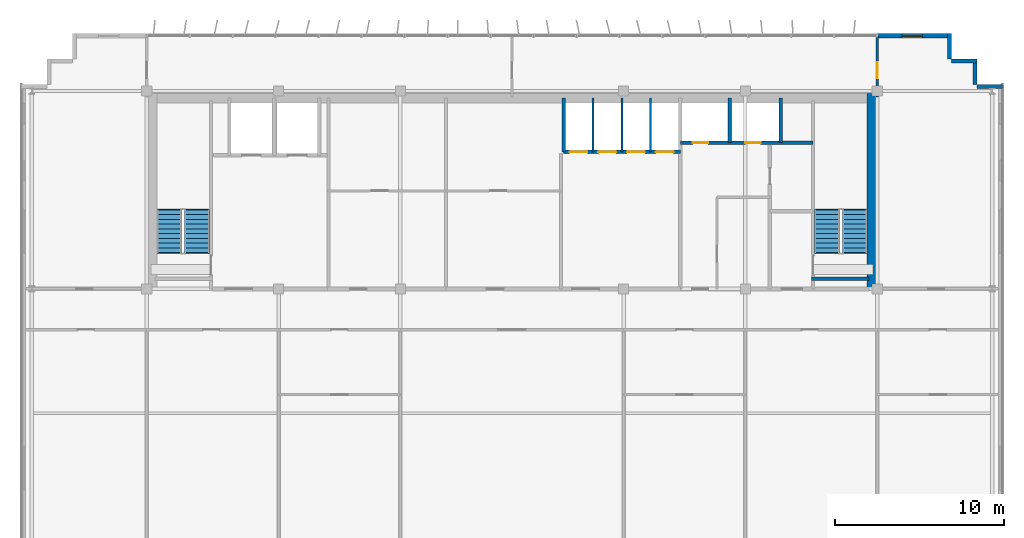
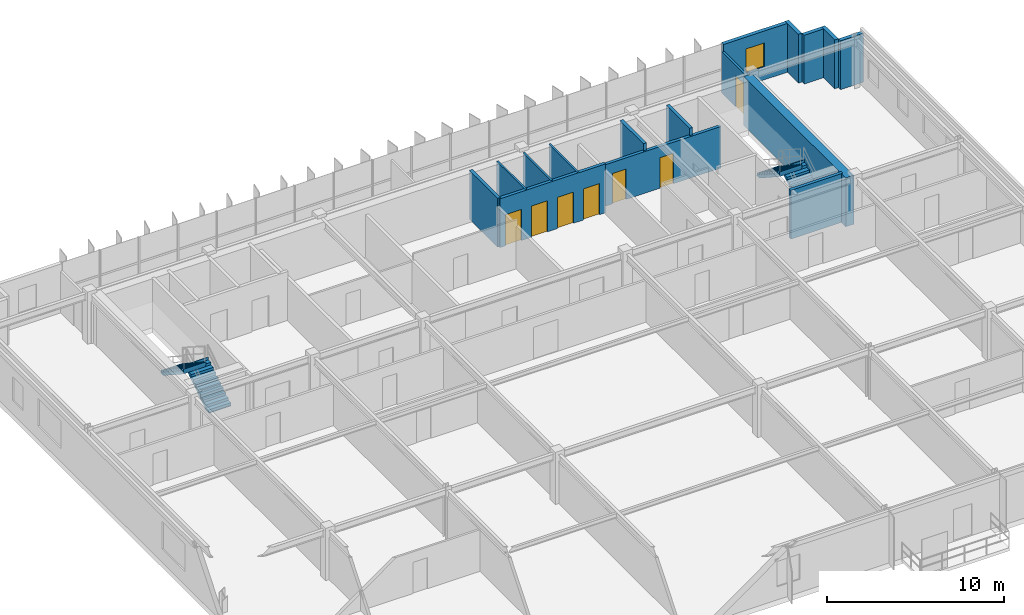
# One storey, part 19 of 21: 16 walls, 7 doors, 4 stair flights, 1 window, 8 openings, 2 elements without a shape of their own.
"""IFC4 building model written with IfcOpenShell, lengths in metres."""

import ifcopenshell
import ifcopenshell.guid

model = None  # the IFC model being written
_history = None  # IfcOwnerHistory: only IFC2X3 demands one
_inside = {}  # id of a spatial element -> (the spatial element, [elements in it])
_under = {}  # id of a project, library or spatial element -> (it, [spatial elements below it])
_declared = {}  # id of a project -> (the project, [libraries it declares])
_typed = {}  # id of a type object -> (the type object, [elements of that type])
_made_of = {}  # id of a material, layer set ... -> (it, [elements and type objects made of it])


def new_model(schema):
    """Start an empty IFC model of exactly this schema.

    Asked for "IFC4X3", IfcOpenShell would pick the latest addendum, in which some entities
    have other attributes; the version numbers below select the first issue.
    IFC2X3 requires an IfcOwnerHistory on every rooted entity: one is made here for all.
    """
    global model, _history
    if schema == "IFC4X3":
        model = ifcopenshell.file(schema_version=(4, 3, 0, 0))
    else:
        model = ifcopenshell.file(schema=schema)
    _inside.clear()
    _under.clear()
    _declared.clear()
    _typed.clear()
    _made_of.clear()
    _history = None
    if model.schema == "IFC2X3":
        org = make("IfcOrganization", Name="unknown")
        user = make(
            "IfcPersonAndOrganization",
            ThePerson=make("IfcPerson", FamilyName="unknown"),
            TheOrganization=org,
        )
        app = make(
            "IfcApplication",
            ApplicationDeveloper=org,
            Version="unknown",
            ApplicationFullName="unknown",
            ApplicationIdentifier="unknown",
        )
        _history = make(
            "IfcOwnerHistory",
            OwningUser=user,
            OwningApplication=app,
            ChangeAction="ADDED",
            CreationDate=0,
        )
    return model


def make(cls, **values):
    """One entity of the class cls with the attributes given. An attribute that is None is left unset."""
    return model.create_entity(
        cls, **{name: value for name, value in values.items() if value is not None}
    )


def rooted(cls, **values):
    """An entity with a GlobalId (a new one), such as an element, a storey or a relation."""
    return make(cls, GlobalId=ifcopenshell.guid.new(), OwnerHistory=_history, **values)


def si_unit(unit_type, name, prefix=None):
    """IfcSIUnit, for example si_unit("LENGTHUNIT", "METRE", prefix="MILLI")."""
    return make("IfcSIUnit", UnitType=unit_type, Prefix=prefix, Name=name)


def assignment(units):
    """IfcUnitAssignment: the units of a project."""
    return None if units is None else make("IfcUnitAssignment", Units=units)


def point(xyz):
    """IfcCartesianPoint."""
    return None if xyz is None else make("IfcCartesianPoint", Coordinates=xyz)


def direction(xyz):
    """IfcDirection."""
    return None if xyz is None else make("IfcDirection", DirectionRatios=xyz)


def frame(location, z_axis=None, x_axis=None):
    """IfcAxis2Placement3D, a coordinate frame: its origin and axes. An axis left out is left unset."""
    return make(
        "IfcAxis2Placement3D",
        Location=point(location),
        Axis=direction(z_axis),
        RefDirection=direction(x_axis),
    )


def frame_2d(location, x_axis=None):
    """IfcAxis2Placement2D, a coordinate frame in the plane: its origin and x axis."""
    return make(
        "IfcAxis2Placement2D", Location=point(location), RefDirection=direction(x_axis)
    )


def origin():
    """The frame at (0, 0, 0) with its axes left unset."""
    return frame((0.0, 0.0, 0.0))


def place(relative_to, where):
    """IfcLocalPlacement: puts the frame where relative to a parent placement (None: the world)."""
    return make(
        "IfcLocalPlacement", PlacementRelTo=relative_to, RelativePlacement=where
    )


def context(
    kind, dimensions, precision=None, world=None, true_north=None, identifier=None
):
    """IfcGeometricRepresentationContext, for example the 3D "Model" context."""
    return make(
        "IfcGeometricRepresentationContext",
        ContextIdentifier=identifier,
        ContextType=kind,
        CoordinateSpaceDimension=dimensions,
        Precision=precision,
        WorldCoordinateSystem=world,
        TrueNorth=true_north,
    )


def subcontext(parent, identifier, kind, view, scale=None):
    """IfcGeometricRepresentationSubContext, for example "Body" below "Model"."""
    return make(
        "IfcGeometricRepresentationSubContext",
        ContextIdentifier=identifier,
        ContextType=kind,
        ParentContext=parent,
        TargetScale=scale,
        TargetView=view,
    )


def project(units=None, contexts=None):
    """IfcProject with its units and contexts."""
    return rooted(
        "IfcProject",
        Name="project",
        RepresentationContexts=contexts,
        UnitsInContext=assignment(units),
    )


def spatial(cls, under=None, at=None, **own):
    """A site, building, storey or space (cls), placed at a placement, below another one or the project."""
    s = rooted(cls, ObjectPlacement=at, **own)
    if under is not None:
        _under.setdefault(under.id(), (under, []))[1].append(s)
    return s


def polyline(points):
    """IfcPolyline through the points."""
    return make("IfcPolyline", Points=[point(p) for p in points])


def profile(cls, at=None, kind="AREA", **sizes):
    """A parametric profile (cls). Its sizes go by their IFC names, for example OverallWidth=200.0."""
    return make(cls, ProfileType=kind, Position=at, **sizes)


def rectangle(**sizes):
    """IfcRectangleProfileDef."""
    return profile("IfcRectangleProfileDef", **sizes)


def outline(outer, holes=None, kind="AREA"):
    """IfcArbitraryClosedProfileDef: a profile drawn as a closed curve; with holes, ...WithVoids."""
    if holes is None:
        return make("IfcArbitraryClosedProfileDef", ProfileType=kind, OuterCurve=outer)
    return make(
        "IfcArbitraryProfileDefWithVoids",
        ProfileType=kind,
        OuterCurve=outer,
        InnerCurves=holes,
    )


def extrude(swept, where, along, depth):
    """IfcExtrudedAreaSolid: the profile swept, set in the frame where, extruded along a direction by depth."""
    return make(
        "IfcExtrudedAreaSolid",
        SweptArea=swept,
        Position=where,
        ExtrudedDirection=direction(along),
        Depth=depth,
    )


def shape(context_of_items, identifier, shape_type, items):
    """IfcShapeRepresentation: the items that make up one representation, for example the "Body"."""
    return make(
        "IfcShapeRepresentation",
        ContextOfItems=context_of_items,
        RepresentationIdentifier=identifier,
        RepresentationType=shape_type,
        Items=items,
    )


def source(mapping_origin, context_of_items, identifier, shape_type, items):
    """IfcRepresentationMap: a shape defined once, which mapped items show again and again."""
    return make(
        "IfcRepresentationMap",
        MappingOrigin=mapping_origin,
        MappedRepresentation=shape(context_of_items, identifier, shape_type, items),
    )


def transform(
    local_origin,
    x_axis=None,
    y_axis=None,
    z_axis=None,
    scale=None,
    scale2=None,
    scale3=None,
    uniform=True,
):
    """IfcCartesianTransformationOperator3D, or its non-uniform kind. x_axis, y_axis, z_axis: its Axis1, 2, 3."""
    if uniform:
        return make(
            "IfcCartesianTransformationOperator3D",
            Axis1=direction(x_axis),
            Axis2=direction(y_axis),
            LocalOrigin=point(local_origin),
            Scale=scale,
            Axis3=direction(z_axis),
        )
    return make(
        "IfcCartesianTransformationOperator3DnonUniform",
        Axis1=direction(x_axis),
        Axis2=direction(y_axis),
        LocalOrigin=point(local_origin),
        Scale=scale,
        Axis3=direction(z_axis),
        Scale2=scale2,
        Scale3=scale3,
    )


def mapped(mapping_source, mapping_target):
    """IfcMappedItem: shows the shape of a source again, moved by a transform."""
    return make(
        "IfcMappedItem", MappingSource=mapping_source, MappingTarget=mapping_target
    )


def material(Name=None, Category=None):
    """IfcMaterial."""
    return make("IfcMaterial", Name=Name, Category=Category)


def layer(
    of_material, thickness, ventilated=None, Name=None, Category=None, Priority=None
):
    """IfcMaterialLayer: one layer of a wall or slab, of a material (None: an air gap)."""
    return make(
        "IfcMaterialLayer",
        Material=of_material,
        LayerThickness=thickness,
        IsVentilated=ventilated,
        Name=Name,
        Category=Category,
        Priority=Priority,
    )


def layer_set(layers, Name=None):
    """IfcMaterialLayerSet."""
    return make("IfcMaterialLayerSet", MaterialLayers=layers, LayerSetName=Name)


def made_of(thing, what):
    """Note that an element or type object is made of a material, layer set ...; save() writes the relation."""
    if what is not None:
        _made_of.setdefault(what.id(), (what, []))[1].append(thing)
    return thing


def type_object(cls, material=None, **own):
    """A type object (cls), such as IfcWallType, which elements share."""
    return made_of(rooted(cls, **own), material)


def element(
    cls,
    number,
    at=None,
    inside=None,
    cuts=None,
    type_object=None,
    material=None,
    context=None,
    identifier="Body",
    shape_type=None,
    held_by="IfcProductDefinitionShape",
    body=None,
    shapes=None,
    **own,
):
    """One element of the class cls, such as IfcWall. Its Tag is "e" and its number.

    at: its placement. inside: the storey or other place that contains it. cuts: it is an
    opening in that element (IfcRelVoidsElement). A single representation is given by context,
    identifier, shape_type and body (its items); several are given by shapes. held_by: the class
    of the entity that holds the representations. save() writes the other relations.
    """
    e = rooted(cls, Tag="e%d" % number, ObjectPlacement=at, **own)
    if body is not None:
        shapes = [shape(context, identifier, shape_type, body)]
    if shapes is not None:
        e.Representation = make(held_by, Representations=shapes)
    if inside is not None:
        _inside.setdefault(inside.id(), (inside, []))[1].append(e)
    if cuts is not None:
        rooted(
            "IfcRelVoidsElement", RelatingBuildingElement=cuts, RelatedOpeningElement=e
        )
    if type_object is not None:
        _typed.setdefault(type_object.id(), (type_object, []))[1].append(e)
    return made_of(e, material)


def fill(opening, filler):
    """IfcRelFillsElement: the door or window that sits in an opening."""
    return rooted(
        "IfcRelFillsElement",
        RelatingOpeningElement=opening,
        RelatedBuildingElement=filler,
    )


def aggregate(whole, parts):
    """IfcRelAggregates: a whole, such as a stair, and the parts it consists of."""
    return rooted("IfcRelAggregates", RelatingObject=whole, RelatedObjects=parts)


def save(model, path):
    """Write the relations noted so far, then the file.

    IfcRelAggregates (storeys below a building ...), IfcRelContainedInSpatialStructure (elements
    in a storey), IfcRelDefinesByType, IfcRelAssociatesMaterial and IfcRelDeclares: one each for
    every whole, place, type object, material and project.
    """
    for whole, parts in _under.values():
        aggregate(whole, parts)
    for where, things in _inside.values():
        rooted(
            "IfcRelContainedInSpatialStructure",
            RelatedElements=things,
            RelatingStructure=where,
        )
    for kind, things in _typed.values():
        rooted("IfcRelDefinesByType", RelatedObjects=things, RelatingType=kind)
    for what, things in _made_of.values():
        rooted("IfcRelAssociatesMaterial", RelatedObjects=things, RelatingMaterial=what)
    for by, libraries in _declared.values():
        rooted("IfcRelDeclares", RelatingContext=by, RelatedDefinitions=libraries)
    model.write(path)


model = new_model("IFC4")

# Units and contexts
model_context = context("Model", 3, precision=1e-05, world=origin(), true_north=direction((0.0, 1.0)))
body_context = subcontext(model_context, "Body", "Model", "MODEL_VIEW")
ifc_project = project(units=[si_unit("LENGTHUNIT", "METRE"), si_unit("AREAUNIT", "SQUARE_METRE"), si_unit("VOLUMEUNIT", "CUBIC_METRE"), si_unit("PLANEANGLEUNIT", "RADIAN"), si_unit("MASSUNIT", "GRAM", prefix="KILO")], contexts=[model_context])

# Site, building, storey
site_placement = place(None, origin())
site = spatial("IfcSite", under=ifc_project, at=site_placement, CompositionType="ELEMENT")
building_placement = place(site_placement, origin())
building = spatial("IfcBuilding", under=site, at=building_placement, Name="Trelvane Seafront Commons", CompositionType="ELEMENT")
storey_placement = place(building_placement, frame((0.0, 0.0, 248.699951171875)))
storey = spatial("IfcBuildingStorey", under=building, at=storey_placement, Name="L64", CompositionType="ELEMENT", Elevation=248.699951171875)

# Wall, opening, window
ifc_material_1 = material(Name="Precast concrete C40/50", Category="concrete")
ifc_layer_1 = layer(ifc_material_1, 0.239990234375, Name="ARCH-WALL-EXT240")
ifc_layer_set_1 = layer_set([ifc_layer_1], Name="Precast concrete C40/50")
wall_type_1 = type_object("IfcWallType", Name="ARCH-WALL-EXT240", PredefinedType="SOLIDWALL", material=ifc_layer_set_1)
wall_1_placement = place(storey_placement, frame((58.800048828125, 48.3701171875, 0.0), z_axis=(0.0, 0.0, 1.0), x_axis=(1.0, 0.0, 0.0)))
wall_1 = element("IfcWall", 1, at=wall_1_placement, inside=storey, type_object=wall_type_1, Name="EW-L64-NE-1278", PredefinedType="SOLIDWALL", context=body_context, shape_type="SweptSolid", body=[
    extrude(rectangle(XDim=4.300048828125, YDim=0.239990234375, at=frame_2d((2.14990234375, 0.0))), origin(), (0.0, 0.0, 1.0), 3.3701171875),
])
opening_1_placement = place(wall_1_placement, frame((1.4599609375, 0.0, 0.89990234375)))
opening_1 = element("IfcOpeningElement", 2, at=opening_1_placement, cuts=wall_1, Name="Opening W05", PredefinedType="OPENING", context=body_context, shape_type="SweptSolid", body=[
    extrude(rectangle(XDim=1.199951171875, YDim=1.64990234375, at=frame_2d((0.60009765625, 0.824951171875))), frame((0.0, 0.1298828125, 0.0), z_axis=(0.0, -1.0, 0.0), x_axis=(1.0, 0.0, 0.0)), (0.0, 0.0, 1.0), 0.260009765625),
])
ifc_material_2 = material(Name="Low-E coastal double glazing", Category="glass")
window_type = type_object("IfcWindowType", Name="ARCH-WIN-W05", PartitioningType="SINGLE_PANEL", PredefinedType="WINDOW", material=ifc_material_2)
shared_shape_1 = source(origin(), body_context, "Body", "SweptSolid", [
    extrude(rectangle(XDim=1.199951171875, YDim=1.64990234375, at=frame_2d((0.60009765625, 0.824951171875))), frame((0.0, 0.030029296875, 0.0), z_axis=(0.0, -1.0, 0.0), x_axis=(1.0, 0.0, 0.0)), (0.0, 0.0, 1.0), 0.06005859375),
])
window_placement = place(opening_1_placement, origin())
window = element("IfcWindow", 3, at=window_placement, inside=storey, type_object=window_type, Name="WIN-L64-01535", OverallHeight=1.64990234375, OverallWidth=1.199951171875, PartitioningType="SINGLE_PANEL", PredefinedType="WINDOW", context=body_context, shape_type="MappedRepresentation", body=[
    mapped(shared_shape_1, transform((0.0, 0.0, 0.0), x_axis=(1.0, 0.0, 0.0), y_axis=(0.0, 1.0, 0.0), z_axis=(0.0, 0.0, 1.0), scale=1.0)),
])
fill(opening_1, window)

# Walls
for number, where, z_axis, x_axis, name in (
    (4, (63.080078125, 48.5, 0.0), (0.0, 0.0, 1.0), (0.0, -1.0, 0.0), "EW-L64-01287"),
    (5, (63.199951171875, 46.8798828125, 0.0), (0.0, 0.0, 1.0), (1.0, 0.0, 0.0), "EW-L64-01288"),
    (6, (64.580078125, 47.0, 0.0), (0.0, 0.0, 1.0), (0.0, -1.0, 0.0), "EW-L64-01289"),
    (7, (64.699951171875, 45.3798828125, 0.0), (0.0, 0.0, 1.0), (1.0, 0.0, 0.0), "EW-L64-01290"),
):
    element("IfcWall", number, at=place(storey_placement, frame(where, z_axis=z_axis, x_axis=x_axis)), inside=storey, type_object=wall_type_1, Name=name, PredefinedType="SOLIDWALL", context=body_context, shape_type="SweptSolid", body=[
        extrude(rectangle(XDim=1.5, YDim=0.239990234375, at=frame_2d((0.75, 0.0))), origin(), (0.0, 0.0, 1.0), 3.3701171875),
    ])
ifc_material_3 = material(Name="Gypsum Drywall Acoustic Partition")
ifc_layer_2 = layer(ifc_material_3, 0.1201171875, Name="ARCH-WALL-PART120")
ifc_layer_set_2 = layer_set([ifc_layer_2], Name="Gypsum Drywall Acoustic Partition")
wall_type_2 = type_object("IfcWallType", Name="ARCH-WALL-PART120", PredefinedType="PARTITIONING", material=ifc_layer_set_2)
for number, where, z_axis, x_axis, name in (
    (8, (42.0, 41.5, 0.0), (0.0, 0.0, 1.0), (0.0, 1.0, 0.0), "W-L64-PH-DIV1-020"),
    (9, (43.699951171875, 41.5, 0.0), (0.0, 0.0, 1.0), (0.0, 1.0, 0.0), "W-L64-PH-DIV2-021"),
    (10, (45.39990234375, 41.5, 0.0), (0.0, 0.0, 1.0), (0.0, 1.0, 0.0), "W-L64-PH-DIV3-022"),
):
    element("IfcWall", number, at=place(storey_placement, frame(where, z_axis=z_axis, x_axis=x_axis)), inside=storey, type_object=wall_type_2, Name=name, PredefinedType="PARTITIONING", context=body_context, shape_type="SweptSolid", body=[
        extrude(rectangle(XDim=3.199951171875, YDim=0.1201171875, at=frame_2d((1.60009765625, 0.0))), origin(), (0.0, 0.0, 1.0), 3.3701171875),
    ])

# Wall, opening, door
ifc_layer_3 = layer(ifc_material_3, 0.14990234375, Name="ARCH-WALL-PART150")
ifc_layer_set_3 = layer_set([ifc_layer_3], Name="Gypsum Drywall Acoustic Partition")
wall_type_3 = type_object("IfcWallType", Name="ARCH-WALL-PART150", PredefinedType="PARTITIONING", material=ifc_layer_set_3)
wall_2_placement = place(storey_placement, frame((58.800048828125, 44.75, 0.0), z_axis=(0.0, 0.0, 1.0), x_axis=(0.0, 1.0, 0.0)))
wall_2 = element("IfcWall", 11, at=wall_2_placement, inside=storey, type_object=wall_type_3, Name="W-L64-N-LINK-E-039", PredefinedType="PARTITIONING", context=body_context, shape_type="SweptSolid", body=[
    extrude(rectangle(XDim=3.610107421875, YDim=0.14990234375, at=frame_2d((1.80517578125, 0.0))), origin(), (0.0, 0.0, 1.0), 2.8701171875),
])
opening_2_placement = place(wall_2_placement, frame((1.10009765625, 0.0, 0.0)))
opening_2 = element("IfcOpeningElement", 12, at=opening_2_placement, cuts=wall_2, Name="Opening FD-L64-25", PredefinedType="OPENING", context=body_context, shape_type="SweptSolid", body=[
    extrude(rectangle(XDim=0.949951171875, YDim=2.14990234375, at=frame_2d((0.47509765625, 1.074951171875))), frame((0.0, 0.0849609375, 0.0), z_axis=(0.0, -1.0, 0.0), x_axis=(1.0, 0.0, 0.0)), (0.0, 0.0, 1.0), 0.169921875),
])
ifc_material_4 = material(Name="Powder-coated aluminium frame", Category="aluminium")
door_type_1 = type_object("IfcDoorType", Name="ARCH-DR-FD60-950", OperationType="NOTDEFINED", PredefinedType="DOOR", material=ifc_material_4)
shared_shape_2 = source(origin(), body_context, "Body", "SweptSolid", [
    extrude(rectangle(XDim=0.949951171875, YDim=2.14990234375, at=frame_2d((0.47509765625, 1.074951171875))), frame((0.0, 0.02490234375, 0.0), z_axis=(0.0, -1.0, 0.0), x_axis=(1.0, 0.0, 0.0)), (0.0, 0.0, 1.0), 0.050048828125),
])
door_1_placement = place(opening_2_placement, origin())
door_1 = element("IfcDoor", 13, at=door_1_placement, inside=storey, type_object=door_type_1, Name="L64 Door 25", OperationType="SINGLE_SWING_LEFT", OverallHeight=2.14990234375, OverallWidth=0.949951171875, PredefinedType="DOOR", context=body_context, shape_type="MappedRepresentation", body=[
    mapped(shared_shape_2, transform((0.0, 0.0, 0.0), x_axis=(1.0, 0.0, 0.0), y_axis=(0.0, 1.0, 0.0), z_axis=(0.0, 0.0, 1.0), scale=1.0)),
])
fill(opening_2, door_1)

# Wall, openings, doors
ifc_material_5 = material(Name="Concrete C40/50", Category="concrete")
ifc_layer_4 = layer(ifc_material_5, 0.199951171875, Name="ARCH-WALL-SHAFT200")
ifc_layer_set_4 = layer_set([ifc_layer_4], Name="Concrete C40/50")
wall_type_4 = type_object("IfcWallType", Name="ARCH-WALL-SHAFT200", PredefinedType="SOLIDWALL", material=ifc_layer_set_4)
wall_3_placement = place(storey_placement, frame((40.25, 41.5, 0.0), z_axis=(0.0, 0.0, 1.0), x_axis=(1.0, 0.0, 0.0)))
wall_3 = element("IfcWall", 14, at=wall_3_placement, inside=storey, type_object=wall_type_4, Name="W-L64-PH-FRONT-018", PredefinedType="SOLIDWALL", context=body_context, shape_type="SweptSolid", body=[
    extrude(rectangle(XDim=6.89990234375, YDim=0.199951171875, at=frame_2d((3.449951171875, 0.0))), origin(), (0.0, 0.0, 1.0), 3.3701171875),
])
opening_3_placement = place(wall_3_placement, frame((0.35009765625, 0.0, 0.0)))
opening_3 = element("IfcOpeningElement", 15, at=opening_3_placement, cuts=wall_3, Name="Opening LD-PH1-L64", PredefinedType="OPENING", context=body_context, shape_type="SweptSolid", body=[
    extrude(rectangle(XDim=1.050048828125, YDim=2.14990234375, at=frame_2d((0.52490234375, 1.074951171875))), frame((0.0, 0.10986328125, 0.0), z_axis=(0.0, -1.0, 0.0), x_axis=(1.0, 0.0, 0.0)), (0.0, 0.0, 1.0), 0.219970703125),
])
opening_4_placement = place(wall_3_placement, frame((2.050048828125, 0.0, 0.0)))
opening_4 = element("IfcOpeningElement", 16, at=opening_4_placement, cuts=wall_3, Name="Opening LD-PH2-L64", PredefinedType="OPENING", context=body_context, shape_type="SweptSolid", body=[
    extrude(rectangle(XDim=1.050048828125, YDim=2.14990234375, at=frame_2d((0.52490234375, 1.074951171875))), frame((0.0, 0.10986328125, 0.0), z_axis=(0.0, -1.0, 0.0), x_axis=(1.0, 0.0, 0.0)), (0.0, 0.0, 1.0), 0.219970703125),
])
opening_5_placement = place(wall_3_placement, frame((3.75, 0.0, 0.0)))
opening_5 = element("IfcOpeningElement", 17, at=opening_5_placement, cuts=wall_3, Name="Opening LD-PH3-L64", PredefinedType="OPENING", context=body_context, shape_type="SweptSolid", body=[
    extrude(rectangle(XDim=1.050048828125, YDim=2.14990234375, at=frame_2d((0.52490234375, 1.074951171875))), frame((0.0, 0.10986328125, 0.0), z_axis=(0.0, -1.0, 0.0), x_axis=(1.0, 0.0, 0.0)), (0.0, 0.0, 1.0), 0.219970703125),
])
opening_6_placement = place(wall_3_placement, frame((5.449951171875, 0.0, 0.0)))
opening_6 = element("IfcOpeningElement", 18, at=opening_6_placement, cuts=wall_3, Name="Opening LD-PH4-L64", PredefinedType="OPENING", context=body_context, shape_type="SweptSolid", body=[
    extrude(rectangle(XDim=1.050048828125, YDim=2.14990234375, at=frame_2d((0.52490234375, 1.074951171875))), frame((0.0, 0.10986328125, 0.0), z_axis=(0.0, -1.0, 0.0), x_axis=(1.0, 0.0, 0.0)), (0.0, 0.0, 1.0), 0.219970703125),
])
ifc_material_6 = material(Name="Stainless steel balustrade", Category="steel")
door_type_2 = type_object("IfcDoorType", Name="ARCH-DR-LD1050", OperationType="DOUBLE_DOOR_SLIDING", PredefinedType="DOOR", material=ifc_material_6)
shared_shape_3 = source(origin(), body_context, "Body", "SweptSolid", [
    extrude(rectangle(XDim=1.050048828125, YDim=2.14990234375, at=frame_2d((0.52490234375, 1.074951171875))), frame((0.0, 0.02490234375, 0.0), z_axis=(0.0, -1.0, 0.0), x_axis=(1.0, 0.0, 0.0)), (0.0, 0.0, 1.0), 0.050048828125),
])
door_2_placement = place(opening_3_placement, origin())
door_2 = element("IfcDoor", 19, at=door_2_placement, inside=storey, type_object=door_type_2, Name="L64 Passenger Lift PH-1 Landing Door", OperationType="DOUBLE_DOOR_SLIDING", OverallHeight=2.14990234375, OverallWidth=1.050048828125, PredefinedType="DOOR", context=body_context, shape_type="MappedRepresentation", body=[
    mapped(shared_shape_3, transform((0.0, 0.0, 0.0), x_axis=(1.0, 0.0, 0.0), y_axis=(0.0, 1.0, 0.0), z_axis=(0.0, 0.0, 1.0), scale=1.0)),
])
fill(opening_3, door_2)
door_3_placement = place(opening_4_placement, origin())
door_3 = element("IfcDoor", 20, at=door_3_placement, inside=storey, type_object=door_type_2, Name="L64 Passenger Lift PH-2 Landing Door", OperationType="DOUBLE_DOOR_SLIDING", OverallHeight=2.14990234375, OverallWidth=1.050048828125, PredefinedType="DOOR", context=body_context, shape_type="MappedRepresentation", body=[
    mapped(shared_shape_3, transform((0.0, 0.0, 0.0), x_axis=(1.0, 0.0, 0.0), y_axis=(0.0, 1.0, 0.0), z_axis=(0.0, 0.0, 1.0), scale=1.0)),
])
fill(opening_4, door_3)
door_4_placement = place(opening_5_placement, origin())
door_4 = element("IfcDoor", 21, at=door_4_placement, inside=storey, type_object=door_type_2, Name="L64 Passenger Lift PH-3 Landing Door", OperationType="DOUBLE_DOOR_SLIDING", OverallHeight=2.14990234375, OverallWidth=1.050048828125, PredefinedType="DOOR", context=body_context, shape_type="MappedRepresentation", body=[
    mapped(shared_shape_3, transform((0.0, 0.0, 0.0), x_axis=(1.0, 0.0, 0.0), y_axis=(0.0, 1.0, 0.0), z_axis=(0.0, 0.0, 1.0), scale=1.0)),
])
fill(opening_5, door_4)
door_5_placement = place(opening_6_placement, origin())
door_5 = element("IfcDoor", 22, at=door_5_placement, inside=storey, type_object=door_type_2, Name="L64 Passenger Lift PH-4 Landing Door", OperationType="DOUBLE_DOOR_SLIDING", OverallHeight=2.14990234375, OverallWidth=1.050048828125, PredefinedType="DOOR", context=body_context, shape_type="MappedRepresentation", body=[
    mapped(shared_shape_3, transform((0.0, 0.0, 0.0), x_axis=(1.0, 0.0, 0.0), y_axis=(0.0, 1.0, 0.0), z_axis=(0.0, 0.0, 1.0), scale=1.0)),
])
fill(opening_6, door_5)

# Wall
wall_4_placement = place(storey_placement, frame((40.25, 41.5, 0.0), z_axis=(0.0, 0.0, 1.0), x_axis=(0.0, 1.0, 0.0)))
element("IfcWall", 23, at=wall_4_placement, inside=storey, type_object=wall_type_4, Name="W-L64-PH-WEST-SH-019", PredefinedType="SOLIDWALL", context=body_context, shape_type="SweptSolid", body=[
    extrude(rectangle(XDim=3.199951171875, YDim=0.199951171875, at=frame_2d((1.60009765625, 0.0))), origin(), (0.0, 0.0, 1.0), 3.3701171875),
])

# Wall, openings, doors
wall_5_placement = place(storey_placement, frame((47.14990234375, 42.050048828125, 0.0), z_axis=(0.0, 0.0, 1.0), x_axis=(1.0, 0.0, 0.0)))
wall_5 = element("IfcWall", 24, at=wall_5_placement, inside=storey, type_object=wall_type_4, Name="W-L64-RSR-S-027", PredefinedType="SOLIDWALL", context=body_context, shape_type="SweptSolid", body=[
    extrude(rectangle(XDim=7.85009765625, YDim=0.199951171875, at=frame_2d((3.925048828125, 0.0))), origin(), (0.0, 0.0, 1.0), 2.8701171875),
])
opening_7_placement = place(wall_5_placement, frame((0.75, 0.0, 0.0)))
opening_7 = element("IfcOpeningElement", 25, at=opening_7_placement, cuts=wall_5, Name="Opening FD-L64-15", PredefinedType="OPENING", context=body_context, shape_type="SweptSolid", body=[
    extrude(rectangle(XDim=0.89990234375, YDim=2.10009765625, at=frame_2d((0.449951171875, 1.050048828125))), frame((0.0, 0.10986328125, 0.0), z_axis=(0.0, -1.0, 0.0), x_axis=(1.0, 0.0, 0.0)), (0.0, 0.0, 1.0), 0.219970703125),
])
opening_8_placement = place(wall_5_placement, frame((3.85009765625, 0.0, 0.0)))
opening_8 = element("IfcOpeningElement", 26, at=opening_8_placement, cuts=wall_5, Name="Opening FD-L64-16", PredefinedType="OPENING", context=body_context, shape_type="SweptSolid", body=[
    extrude(rectangle(XDim=0.89990234375, YDim=2.10009765625, at=frame_2d((0.449951171875, 1.050048828125))), frame((0.0, 0.10986328125, 0.0), z_axis=(0.0, -1.0, 0.0), x_axis=(1.0, 0.0, 0.0)), (0.0, 0.0, 1.0), 0.219970703125),
])
door_type_3 = type_object("IfcDoorType", Name="ARCH-DR-FD60-900", OperationType="NOTDEFINED", PredefinedType="DOOR", material=ifc_material_4)
shared_shape_4 = source(origin(), body_context, "Body", "SweptSolid", [
    extrude(rectangle(XDim=0.89990234375, YDim=2.10009765625, at=frame_2d((0.449951171875, 1.050048828125))), frame((0.0, 0.02490234375, 0.0), z_axis=(0.0, -1.0, 0.0), x_axis=(1.0, 0.0, 0.0)), (0.0, 0.0, 1.0), 0.050048828125),
])
door_6_placement = place(opening_7_placement, origin())
door_6 = element("IfcDoor", 27, at=door_6_placement, inside=storey, type_object=door_type_3, Name="L64 Electrical Riser Access Door", OperationType="SINGLE_SWING_LEFT", OverallHeight=2.10009765625, OverallWidth=0.89990234375, PredefinedType="DOOR", context=body_context, shape_type="MappedRepresentation", body=[
    mapped(shared_shape_4, transform((0.0, 0.0, 0.0), x_axis=(1.0, 0.0, 0.0), y_axis=(0.0, 1.0, 0.0), z_axis=(0.0, 0.0, 1.0), scale=1.0)),
])
fill(opening_7, door_6)
door_7_placement = place(opening_8_placement, origin())
door_7 = element("IfcDoor", 28, at=door_7_placement, inside=storey, type_object=door_type_3, Name="L64 Mechanical Riser Access Door", OperationType="SINGLE_SWING_RIGHT", OverallHeight=2.10009765625, OverallWidth=0.89990234375, PredefinedType="DOOR", context=body_context, shape_type="MappedRepresentation", body=[
    mapped(shared_shape_4, transform((0.0, 0.0, 0.0), x_axis=(1.0, 0.0, 0.0), y_axis=(0.0, 1.0, 0.0), z_axis=(0.0, 0.0, 1.0), scale=1.0)),
])
fill(opening_8, door_7)

# Walls
for number, where, z_axis, x_axis, name in (
    (29, (50.080078125, 42.050048828125, 0.0), (0.0, 0.0, 1.0), (0.0, 1.0, 0.0), "W-L64-RSR-DIV-028"),
    (30, (53.10009765625, 42.050048828125, 0.0), (0.0, 0.0, 1.0), (0.0, 1.0, 0.0), "W-L64-RSR-E-029"),
):
    element("IfcWall", number, at=place(storey_placement, frame(where, z_axis=z_axis, x_axis=x_axis)), inside=storey, type_object=wall_type_4, Name=name, PredefinedType="SOLIDWALL", context=body_context, shape_type="SweptSolid", body=[
        extrude(rectangle(XDim=2.64990234375, YDim=0.199951171875, at=frame_2d((1.324951171875, 0.0))), origin(), (0.0, 0.0, 1.0), 3.3701171875),
    ])
ifc_material_7 = material(Name="Concrete C50/60", Category="concrete")
ifc_layer_5 = layer(ifc_material_7, 0.550048828125, Name="STR-WALL-CORE550")
ifc_layer_set_5 = layer_set([ifc_layer_5], Name="Concrete C50/60")
wall_type_5 = type_object("IfcWallType", Name="STR-WALL-CORE550", PredefinedType="SHEAR", material=ifc_layer_set_5)
wall_6_placement = place(storey_placement, frame((58.47509765625, 33.39990234375, 0.0), z_axis=(0.0, 0.0, 1.0), x_axis=(0.0, 1.0, 0.0)))
element("IfcWall", 31, at=wall_6_placement, inside=storey, type_object=wall_type_5, Name="W-L64-CE-END-003", PredefinedType="SHEAR", context=body_context, shape_type="SweptSolid", body=[
    extrude(rectangle(XDim=11.550048828125, YDim=0.550048828125, at=frame_2d((5.77490234375, 0.0))), origin(), (0.0, 0.0, 1.0), 3.3701171875),
])
ifc_layer_6 = layer(ifc_material_7, 0.199951171875, Name="STR-WALL-STAIR200")
ifc_layer_set_6 = layer_set([ifc_layer_6], Name="Concrete C50/60")
wall_type_6 = type_object("IfcWallType", Name="STR-WALL-STAIR200", PredefinedType="SHEAR", material=ifc_layer_set_6)
wall_7_placement = place(storey_placement, frame((54.89990234375, 34.0, 0.0), z_axis=(0.0, 0.0, 1.0), x_axis=(1.0, 0.0, 0.0)))
element("IfcWall", 32, at=wall_7_placement, inside=storey, type_object=wall_type_6, Name="W-L64-ST2-S-006", PredefinedType="SHEAR", context=body_context, shape_type="SweptSolid", body=[
    extrude(rectangle(XDim=3.400146484375, YDim=0.199951171875, at=frame_2d((1.7001953125, 0.0))), origin(), (0.0, 0.0, 1.0), 3.3701171875),
])

# Stair, stair flights
stair_type_1 = type_object("IfcStairType", Name="ARCH-STR-ST-1-R20-180", PredefinedType="HALF_TURN_STAIR", material=ifc_material_5)
stair_1_placement = place(storey_placement, origin())
stair_1 = element("IfcStair", 33, at=stair_1_placement, inside=storey, type_object=stair_type_1, Name="L64 West Protected Firefighting Exit Stair ST-1", PredefinedType="HALF_TURN_STAIR")
stair_flight_type_1 = type_object("IfcStairFlightType", Name="ARCH-FLG-ST-1-R20-180", PredefinedType="STRAIGHT", material=ifc_material_5)
shared_shape_5 = source(origin(), body_context, "Body", "SweptSolid", [
    extrude(outline(polyline([(-0.050048828125, -0.02001953125), (-0.050048828125, 0.0), (0.0, 0.0), (0.0, 0.179931640625), (0.280029296875, 0.179931640625), (0.280029296875, 0.360107421875), (0.56005859375, 0.360107421875), (0.56005859375, 0.5400390625), (0.840087890625, 0.5400390625), (0.840087890625, 0.719970703125), (1.1201171875, 0.719970703125), (1.1201171875, 0.89990234375), (1.39990234375, 0.89990234375), (1.39990234375, 1.080078125), (1.679931640625, 1.080078125), (1.679931640625, 1.260009765625), (1.9599609375, 1.260009765625), (1.9599609375, 1.43994140625), (2.239990234375, 1.43994140625), (2.239990234375, 1.6201171875), (2.52001953125, 1.6201171875), (2.52001953125, 1.800048828125), (2.570068359375, 1.800048828125), (2.570068359375, 1.650146484375), (2.52001953125, 1.44189453125), (0.277099609375, -0.02001953125), (-0.050048828125, -0.02001953125)])), frame((0.0, 0.72509765625, 0.0), z_axis=(0.0, -1.0, 0.0), x_axis=(1.0, 0.0, 0.0)), (0.0, 0.0, 1.0), 1.449951171875),
])
stair_flight_1_placement = place(storey_placement, frame((18.574951171875, 35.550048828125, 0.0), z_axis=(0.0, 0.0, 1.0), x_axis=(0.0, 1.0, 0.0)))
stair_flight_1 = element("IfcStairFlight", 34, at=stair_flight_1_placement, type_object=stair_flight_type_1, Name="ST-1 flight 1", NumberOfRisers=10, NumberOfTreads=9, PredefinedType="STRAIGHT", RiserHeight=0.18, TreadLength=0.28, context=body_context, shape_type="MappedRepresentation", body=[
    mapped(shared_shape_5, transform((0.0, 0.0, 0.0), x_axis=(1.0, 0.0, 0.0), y_axis=(0.0, 1.0, 0.0), z_axis=(0.0, 0.0, 1.0), scale=1.0)),
])
stair_flight_2_placement = place(storey_placement, frame((16.925048828125, 38.070068359375, 1.800048828125), z_axis=(0.0, 0.0, 1.0), x_axis=(0.0, -1.0, 0.0)))
stair_flight_2 = element("IfcStairFlight", 35, at=stair_flight_2_placement, type_object=stair_flight_type_1, Name="ST-1 flight 2", NumberOfRisers=10, NumberOfTreads=9, PredefinedType="STRAIGHT", RiserHeight=0.18, TreadLength=0.28, context=body_context, shape_type="MappedRepresentation", body=[
    mapped(shared_shape_5, transform((0.0, 0.0, 0.0), x_axis=(1.0, 0.0, 0.0), y_axis=(0.0, 1.0, 0.0), z_axis=(0.0, 0.0, 1.0), scale=1.0)),
])
aggregate(stair_1, [stair_flight_1, stair_flight_2])

stair_type_2 = type_object("IfcStairType", Name="ARCH-STR-ST-2-R20-180", PredefinedType="HALF_TURN_STAIR", material=ifc_material_5)
stair_2_placement = place(storey_placement, origin())
stair_2 = element("IfcStair", 36, at=stair_2_placement, inside=storey, type_object=stair_type_2, Name="L64 East Protected Firefighting Exit Stair ST-2", PredefinedType="HALF_TURN_STAIR")
stair_flight_type_2 = type_object("IfcStairFlightType", Name="ARCH-FLG-ST-2-R20-180", PredefinedType="STRAIGHT", material=ifc_material_5)
stair_flight_3_placement = place(storey_placement, frame((57.47509765625, 35.550048828125, 0.0), z_axis=(0.0, 0.0, 1.0), x_axis=(0.0, 1.0, 0.0)))
stair_flight_3 = element("IfcStairFlight", 37, at=stair_flight_3_placement, type_object=stair_flight_type_2, Name="ST-2 flight 1", NumberOfRisers=10, NumberOfTreads=9, PredefinedType="STRAIGHT", RiserHeight=0.18, TreadLength=0.28, context=body_context, shape_type="MappedRepresentation", body=[
    mapped(shared_shape_5, transform((0.0, 0.0, 0.0), x_axis=(1.0, 0.0, 0.0), y_axis=(0.0, 1.0, 0.0), z_axis=(0.0, 0.0, 1.0), scale=1.0)),
])
stair_flight_4_placement = place(storey_placement, frame((55.824951171875, 38.070068359375, 1.800048828125), z_axis=(0.0, 0.0, 1.0), x_axis=(0.0, -1.0, 0.0)))
stair_flight_4 = element("IfcStairFlight", 38, at=stair_flight_4_placement, type_object=stair_flight_type_2, Name="ST-2 flight 2", NumberOfRisers=10, NumberOfTreads=9, PredefinedType="STRAIGHT", RiserHeight=0.18, TreadLength=0.28, context=body_context, shape_type="MappedRepresentation", body=[
    mapped(shared_shape_5, transform((0.0, 0.0, 0.0), x_axis=(1.0, 0.0, 0.0), y_axis=(0.0, 1.0, 0.0), z_axis=(0.0, 0.0, 1.0), scale=1.0)),
])
aggregate(stair_2, [stair_flight_3, stair_flight_4])

save(model, "model.ifc")
